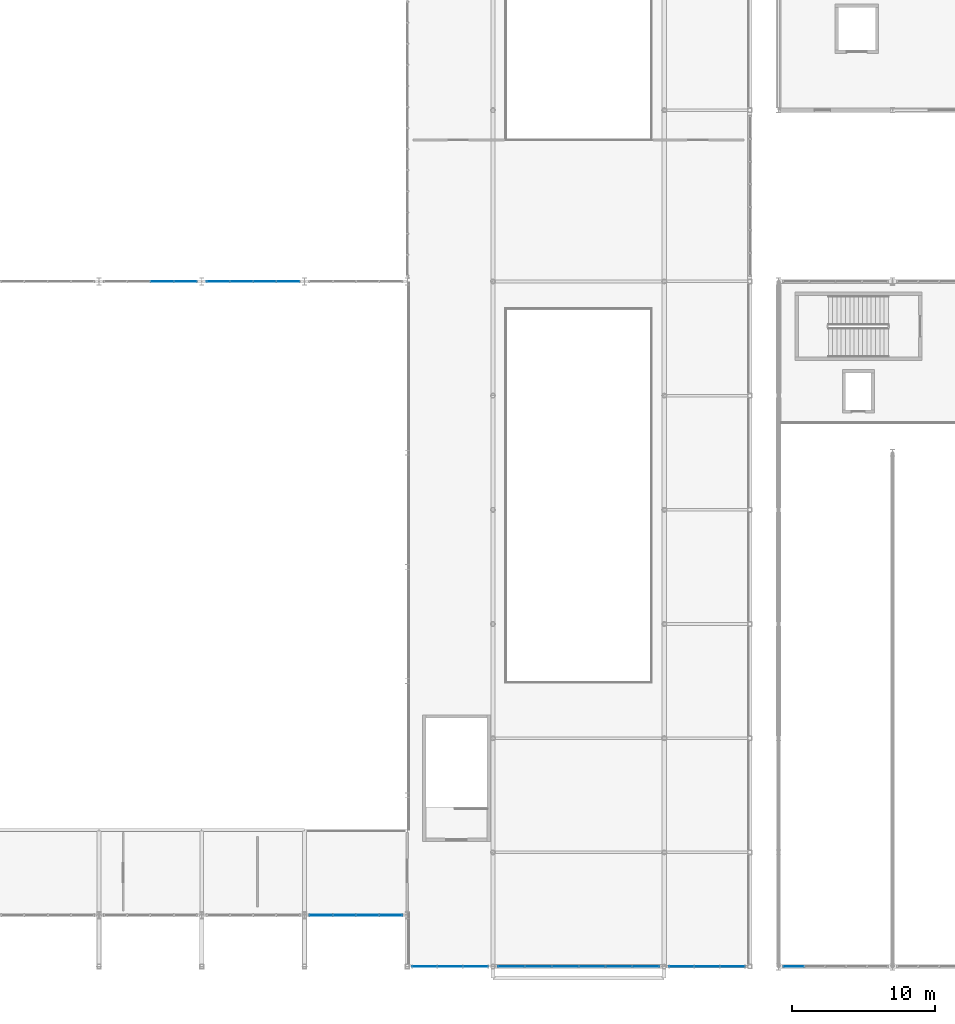
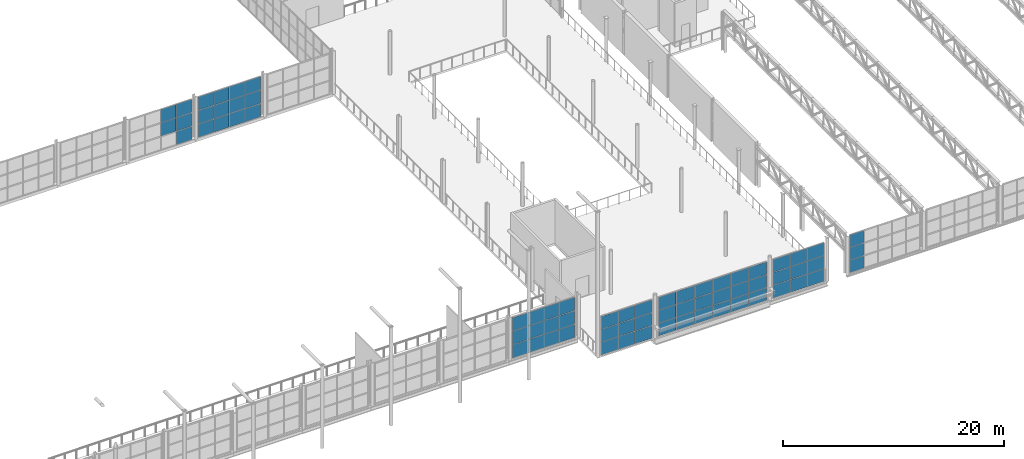
# One storey, part 107 of 143: 68 plates, 7 elements without a shape of their own.
"""IFC4 building model written with IfcOpenShell, lengths in metres."""

from ifc_helpers import new_model, si_unit, derived_unit, direction, frame, origin, origin_2d, place, context, subcontext, project, spatial, rectangle, extrude, material, layer, layer_set, type_object, element, aggregate, save


model = new_model("IFC4")

# Units and contexts
model_context = context("Model", 3, precision=1e-05, world=origin(), true_north=direction((0.0, 1.0)))
body_context = subcontext(model_context, "Body", "Model", "MODEL_VIEW")
ifc_project = project(units=[si_unit("LENGTHUNIT", "METRE"), si_unit("AREAUNIT", "SQUARE_METRE"), si_unit("VOLUMEUNIT", "CUBIC_METRE"), si_unit("PLANEANGLEUNIT", "RADIAN"), si_unit("MASSUNIT", "GRAM", prefix="KILO"), derived_unit("THERMALTRANSMITTANCEUNIT", [(si_unit("POWERUNIT", "WATT"), 1), (si_unit("LENGTHUNIT", "METRE"), -2), (si_unit("THERMODYNAMICTEMPERATUREUNIT", "KELVIN"), -1)])], contexts=[model_context])

# Site, building, storey
site_placement = place(None, origin())
site = spatial("IfcSite", under=ifc_project, at=site_placement, CompositionType="ELEMENT")
building_placement = place(site_placement, origin())
building = spatial("IfcBuilding", under=site, at=building_placement, Name="Keldorne Ridge Multi-Sports Centre", CompositionType="ELEMENT")
storey_placement = place(building_placement, frame((0.0, 0.0, 4.800048828125)))
storey = spatial("IfcBuildingStorey", under=building, at=storey_placement, Name="L01", CompositionType="ELEMENT", Elevation=4.800048828125)

# Curtain wall, plates
ifc_material_1 = material(Name="Anodized aluminium", Category="aluminium")
curtain_wall_type_1 = type_object("IfcCurtainWallType", Name="CW-CW-06", PredefinedType="NOTDEFINED", material=ifc_material_1)
curtain_wall_1_placement = place(storey_placement, origin())
curtain_wall_1 = element("IfcCurtainWall", 1, at=curtain_wall_1_placement, inside=storey, type_object=curtain_wall_type_1, Name="Main Hall north clerestory curtain wall 022", PredefinedType="NOTDEFINED")
ifc_material_2 = material(Name="Double low-e insulated glazing", Category="glass")
ifc_layer_1 = layer(ifc_material_2, 0.035888671875)
ifc_layer_set_1 = layer_set([ifc_layer_1])
plate_type_1 = type_object("IfcPlateType", Name="PLT-GL-01", PredefinedType="CURTAIN_PANEL", material=ifc_layer_set_1)
plate_1_placement = place(storey_placement, frame((62.445068359375, 54.0, 0.02001953125), z_axis=(0.0, 0.0, 1.0), x_axis=(-1.0, 0.0, 0.0)))
plate_1 = element("IfcPlate", 2, at=plate_1_placement, type_object=plate_type_1, Name="CW-022 glazed panel 1.1", PredefinedType="CURTAIN_PANEL", context=body_context, shape_type="SweptSolid", body=[
    extrude(rectangle(XDim=1.590087890625, YDim=0.035888671875, at=origin_2d()), origin(), (0.0, 0.0, 1.0), 1.4599609375),
])
plate_2_placement = place(storey_placement, frame((62.445068359375, 54.0, 1.52001953125), z_axis=(0.0, 0.0, 1.0), x_axis=(-1.0, 0.0, 0.0)))
plate_2 = element("IfcPlate", 3, at=plate_2_placement, type_object=plate_type_1, Name="CW-022 glazed panel 1.2", PredefinedType="CURTAIN_PANEL", context=body_context, shape_type="SweptSolid", body=[
    extrude(rectangle(XDim=1.590087890625, YDim=0.035888671875, at=origin_2d()), origin(), (0.0, 0.0, 1.0), 1.4599609375),
])
plate_3_placement = place(storey_placement, frame((62.445068359375, 54.0, 3.02001953125), z_axis=(0.0, 0.0, 1.0), x_axis=(-1.0, 0.0, 0.0)))
plate_3 = element("IfcPlate", 4, at=plate_3_placement, type_object=plate_type_1, Name="CW-022 glazed panel 1.3", PredefinedType="CURTAIN_PANEL", context=body_context, shape_type="SweptSolid", body=[
    extrude(rectangle(XDim=1.590087890625, YDim=0.035888671875, at=origin_2d()), origin(), (0.0, 0.0, 1.0), 1.4599609375),
])
plate_4_placement = place(storey_placement, frame((60.81494140625, 54.0, 1.52001953125), z_axis=(0.0, 0.0, 1.0), x_axis=(-1.0, 0.0, 0.0)))
plate_4 = element("IfcPlate", 5, at=plate_4_placement, type_object=plate_type_1, Name="CW-022 glazed panel 2.2", PredefinedType="CURTAIN_PANEL", context=body_context, shape_type="SweptSolid", body=[
    extrude(rectangle(XDim=1.590087890625, YDim=0.035888671875, at=origin_2d()), origin(), (0.0, 0.0, 1.0), 1.4599609375),
])
plate_5_placement = place(storey_placement, frame((60.81494140625, 54.0, 3.02001953125), z_axis=(0.0, 0.0, 1.0), x_axis=(-1.0, 0.0, 0.0)))
plate_5 = element("IfcPlate", 6, at=plate_5_placement, type_object=plate_type_1, Name="CW-022 glazed panel 2.3", PredefinedType="CURTAIN_PANEL", context=body_context, shape_type="SweptSolid", body=[
    extrude(rectangle(XDim=1.590087890625, YDim=0.035888671875, at=origin_2d()), origin(), (0.0, 0.0, 1.0), 1.4599609375),
])
aggregate(curtain_wall_1, [plate_1, plate_2, plate_3, plate_4, plate_5])

curtain_wall_type_2 = type_object("IfcCurtainWallType", Name="CW-CW-01", PredefinedType="NOTDEFINED", material=ifc_material_1)
curtain_wall_2_placement = place(storey_placement, origin())
curtain_wall_2 = element("IfcCurtainWall", 7, at=curtain_wall_2_placement, inside=storey, type_object=curtain_wall_type_2, Name="Main Hall north clerestory curtain wall 025", PredefinedType="NOTDEFINED")
plate_6_placement = place(storey_placement, frame((69.64501953125, 54.0, 0.02001953125), z_axis=(0.0, 0.0, 1.0), x_axis=(-1.0, 0.0, 0.0)))
plate_6 = element("IfcPlate", 8, at=plate_6_placement, type_object=plate_type_1, Name="CW-025 glazed panel 1.1", PredefinedType="CURTAIN_PANEL", context=body_context, shape_type="SweptSolid", body=[
    extrude(rectangle(XDim=1.590087890625, YDim=0.035888671875, at=origin_2d()), origin(), (0.0, 0.0, 1.0), 1.4599609375),
])
plate_7_placement = place(storey_placement, frame((69.64501953125, 54.0, 1.52001953125), z_axis=(0.0, 0.0, 1.0), x_axis=(-1.0, 0.0, 0.0)))
plate_7 = element("IfcPlate", 9, at=plate_7_placement, type_object=plate_type_1, Name="CW-025 glazed panel 1.2", PredefinedType="CURTAIN_PANEL", context=body_context, shape_type="SweptSolid", body=[
    extrude(rectangle(XDim=1.590087890625, YDim=0.035888671875, at=origin_2d()), origin(), (0.0, 0.0, 1.0), 1.4599609375),
])
plate_8_placement = place(storey_placement, frame((69.64501953125, 54.0, 3.02001953125), z_axis=(0.0, 0.0, 1.0), x_axis=(-1.0, 0.0, 0.0)))
plate_8 = element("IfcPlate", 10, at=plate_8_placement, type_object=plate_type_1, Name="CW-025 glazed panel 1.3", PredefinedType="CURTAIN_PANEL", context=body_context, shape_type="SweptSolid", body=[
    extrude(rectangle(XDim=1.590087890625, YDim=0.035888671875, at=origin_2d()), origin(), (0.0, 0.0, 1.0), 1.4599609375),
])
plate_9_placement = place(storey_placement, frame((68.014892578125, 54.0, 0.02001953125), z_axis=(0.0, 0.0, 1.0), x_axis=(-1.0, 0.0, 0.0)))
plate_9 = element("IfcPlate", 11, at=plate_9_placement, type_object=plate_type_1, Name="CW-025 glazed panel 2.1", PredefinedType="CURTAIN_PANEL", context=body_context, shape_type="SweptSolid", body=[
    extrude(rectangle(XDim=1.590087890625, YDim=0.035888671875, at=origin_2d()), origin(), (0.0, 0.0, 1.0), 1.4599609375),
])
plate_10_placement = place(storey_placement, frame((68.014892578125, 54.0, 1.52001953125), z_axis=(0.0, 0.0, 1.0), x_axis=(-1.0, 0.0, 0.0)))
plate_10 = element("IfcPlate", 12, at=plate_10_placement, type_object=plate_type_1, Name="CW-025 glazed panel 2.2", PredefinedType="CURTAIN_PANEL", context=body_context, shape_type="SweptSolid", body=[
    extrude(rectangle(XDim=1.590087890625, YDim=0.035888671875, at=origin_2d()), origin(), (0.0, 0.0, 1.0), 1.4599609375),
])
plate_11_placement = place(storey_placement, frame((68.014892578125, 54.0, 3.02001953125), z_axis=(0.0, 0.0, 1.0), x_axis=(-1.0, 0.0, 0.0)))
plate_11 = element("IfcPlate", 13, at=plate_11_placement, type_object=plate_type_1, Name="CW-025 glazed panel 2.3", PredefinedType="CURTAIN_PANEL", context=body_context, shape_type="SweptSolid", body=[
    extrude(rectangle(XDim=1.590087890625, YDim=0.035888671875, at=origin_2d()), origin(), (0.0, 0.0, 1.0), 1.4599609375),
])
plate_12_placement = place(storey_placement, frame((66.385009765625, 54.0, 0.02001953125), z_axis=(0.0, 0.0, 1.0), x_axis=(-1.0, 0.0, 0.0)))
plate_12 = element("IfcPlate", 14, at=plate_12_placement, type_object=plate_type_1, Name="CW-025 glazed panel 3.1", PredefinedType="CURTAIN_PANEL", context=body_context, shape_type="SweptSolid", body=[
    extrude(rectangle(XDim=1.590087890625, YDim=0.035888671875, at=origin_2d()), origin(), (0.0, 0.0, 1.0), 1.4599609375),
])
plate_13_placement = place(storey_placement, frame((66.385009765625, 54.0, 1.52001953125), z_axis=(0.0, 0.0, 1.0), x_axis=(-1.0, 0.0, 0.0)))
plate_13 = element("IfcPlate", 15, at=plate_13_placement, type_object=plate_type_1, Name="CW-025 glazed panel 3.2", PredefinedType="CURTAIN_PANEL", context=body_context, shape_type="SweptSolid", body=[
    extrude(rectangle(XDim=1.590087890625, YDim=0.035888671875, at=origin_2d()), origin(), (0.0, 0.0, 1.0), 1.4599609375),
])
plate_14_placement = place(storey_placement, frame((66.385009765625, 54.0, 3.02001953125), z_axis=(0.0, 0.0, 1.0), x_axis=(-1.0, 0.0, 0.0)))
plate_14 = element("IfcPlate", 16, at=plate_14_placement, type_object=plate_type_1, Name="CW-025 glazed panel 3.3", PredefinedType="CURTAIN_PANEL", context=body_context, shape_type="SweptSolid", body=[
    extrude(rectangle(XDim=1.590087890625, YDim=0.035888671875, at=origin_2d()), origin(), (0.0, 0.0, 1.0), 1.4599609375),
])
plate_15_placement = place(storey_placement, frame((64.7548828125, 54.0, 0.02001953125), z_axis=(0.0, 0.0, 1.0), x_axis=(-1.0, 0.0, 0.0)))
plate_15 = element("IfcPlate", 17, at=plate_15_placement, type_object=plate_type_1, Name="CW-025 glazed panel 4.1", PredefinedType="CURTAIN_PANEL", context=body_context, shape_type="SweptSolid", body=[
    extrude(rectangle(XDim=1.590087890625, YDim=0.035888671875, at=origin_2d()), origin(), (0.0, 0.0, 1.0), 1.4599609375),
])
plate_16_placement = place(storey_placement, frame((64.7548828125, 54.0, 1.52001953125), z_axis=(0.0, 0.0, 1.0), x_axis=(-1.0, 0.0, 0.0)))
plate_16 = element("IfcPlate", 18, at=plate_16_placement, type_object=plate_type_1, Name="CW-025 glazed panel 4.2", PredefinedType="CURTAIN_PANEL", context=body_context, shape_type="SweptSolid", body=[
    extrude(rectangle(XDim=1.590087890625, YDim=0.035888671875, at=origin_2d()), origin(), (0.0, 0.0, 1.0), 1.4599609375),
])
plate_17_placement = place(storey_placement, frame((64.7548828125, 54.0, 3.02001953125), z_axis=(0.0, 0.0, 1.0), x_axis=(-1.0, 0.0, 0.0)))
plate_17 = element("IfcPlate", 19, at=plate_17_placement, type_object=plate_type_1, Name="CW-025 glazed panel 4.3", PredefinedType="CURTAIN_PANEL", context=body_context, shape_type="SweptSolid", body=[
    extrude(rectangle(XDim=1.590087890625, YDim=0.035888671875, at=origin_2d()), origin(), (0.0, 0.0, 1.0), 1.4599609375),
])
aggregate(curtain_wall_2, [plate_6, plate_7, plate_8, plate_9, plate_10, plate_11, plate_12, plate_13, plate_14, plate_15, plate_16, plate_17])

curtain_wall_type_3 = type_object("IfcCurtainWallType", Name="CW-CW-07", PredefinedType="NOTDEFINED", material=ifc_material_1)
curtain_wall_3_placement = place(storey_placement, origin())
curtain_wall_3 = element("IfcCurtainWall", 20, at=curtain_wall_3_placement, inside=storey, type_object=curtain_wall_type_3, Name="Lower Courts high clerestory 087", PredefinedType="NOTDEFINED")
plate_18_placement = place(storey_placement, frame((105.072021484375, 6.0, 0.02001953125), z_axis=(0.0, 0.0, 1.0), x_axis=(1.0, 0.0, 0.0)))
plate_18 = element("IfcPlate", 21, at=plate_18_placement, type_object=plate_type_1, Name="CW-087 glazed panel 1.1", PredefinedType="CURTAIN_PANEL", context=body_context, shape_type="SweptSolid", body=[
    extrude(rectangle(XDim=1.424072265625, YDim=0.035888671875, at=origin_2d()), origin(), (0.0, 0.0, 1.0), 1.360107421875),
])
plate_19_placement = place(storey_placement, frame((105.072021484375, 6.0, 1.419921875), z_axis=(0.0, 0.0, 1.0), x_axis=(1.0, 0.0, 0.0)))
plate_19 = element("IfcPlate", 22, at=plate_19_placement, type_object=plate_type_1, Name="CW-087 glazed panel 1.2", PredefinedType="CURTAIN_PANEL", context=body_context, shape_type="SweptSolid", body=[
    extrude(rectangle(XDim=1.424072265625, YDim=0.035888671875, at=origin_2d()), origin(), (0.0, 0.0, 1.0), 1.360107421875),
])
plate_20_placement = place(storey_placement, frame((105.072021484375, 6.0, 2.81982421875), z_axis=(0.0, 0.0, 1.0), x_axis=(1.0, 0.0, 0.0)))
plate_20 = element("IfcPlate", 23, at=plate_20_placement, type_object=plate_type_1, Name="CW-087 glazed panel 1.3", PredefinedType="CURTAIN_PANEL", context=body_context, shape_type="SweptSolid", body=[
    extrude(rectangle(XDim=1.424072265625, YDim=0.035888671875, at=origin_2d()), origin(), (0.0, 0.0, 1.0), 1.360107421875),
])
aggregate(curtain_wall_3, [plate_18, plate_19, plate_20])

curtain_wall_type_4 = type_object("IfcCurtainWallType", Name="CW-CW-02", PredefinedType="NOTDEFINED", material=ifc_material_1)
curtain_wall_4_placement = place(storey_placement, origin())
curtain_wall_4 = element("IfcCurtainWall", 24, at=curtain_wall_4_placement, inside=storey, type_object=curtain_wall_type_4, Name="Main Hall south mezzanine curtain wall 026", PredefinedType="NOTDEFINED")
ifc_material_3 = material(Name="Triple acoustic low-e glazing", Category="glass")
ifc_layer_2 = layer(ifc_material_3, 0.0439453125)
ifc_layer_set_2 = layer_set([ifc_layer_2])
plate_type_2 = type_object("IfcPlateType", Name="PLT-GL-02", PredefinedType="CURTAIN_PANEL", material=ifc_layer_set_2)
plate_21_placement = place(storey_placement, frame((71.955078125, 9.60009765625, 0.02001953125), z_axis=(0.0, 0.0, 1.0), x_axis=(1.0, 0.0, 0.0)))
plate_21 = element("IfcPlate", 25, at=plate_21_placement, type_object=plate_type_2, Name="CW-026 glazed panel 1.1", PredefinedType="CURTAIN_PANEL", context=body_context, shape_type="SweptSolid", body=[
    extrude(rectangle(XDim=1.590087890625, YDim=0.0439453125, at=origin_2d()), origin(), (0.0, 0.0, 1.0), 1.4599609375),
])
plate_22_placement = place(storey_placement, frame((71.955078125, 9.60009765625, 1.52001953125), z_axis=(0.0, 0.0, 1.0), x_axis=(1.0, 0.0, 0.0)))
plate_22 = element("IfcPlate", 26, at=plate_22_placement, type_object=plate_type_2, Name="CW-026 glazed panel 1.2", PredefinedType="CURTAIN_PANEL", context=body_context, shape_type="SweptSolid", body=[
    extrude(rectangle(XDim=1.590087890625, YDim=0.0439453125, at=origin_2d()), origin(), (0.0, 0.0, 1.0), 1.4599609375),
])
plate_23_placement = place(storey_placement, frame((71.955078125, 9.60009765625, 3.02001953125), z_axis=(0.0, 0.0, 1.0), x_axis=(1.0, 0.0, 0.0)))
plate_23 = element("IfcPlate", 27, at=plate_23_placement, type_object=plate_type_2, Name="CW-026 glazed panel 1.3", PredefinedType="CURTAIN_PANEL", context=body_context, shape_type="SweptSolid", body=[
    extrude(rectangle(XDim=1.590087890625, YDim=0.0439453125, at=origin_2d()), origin(), (0.0, 0.0, 1.0), 1.4599609375),
])
plate_24_placement = place(storey_placement, frame((73.5849609375, 9.60009765625, 0.02001953125), z_axis=(0.0, 0.0, 1.0), x_axis=(1.0, 0.0, 0.0)))
plate_24 = element("IfcPlate", 28, at=plate_24_placement, type_object=plate_type_2, Name="CW-026 glazed panel 2.1", PredefinedType="CURTAIN_PANEL", context=body_context, shape_type="SweptSolid", body=[
    extrude(rectangle(XDim=1.590087890625, YDim=0.0439453125, at=origin_2d()), origin(), (0.0, 0.0, 1.0), 1.4599609375),
])
plate_25_placement = place(storey_placement, frame((73.5849609375, 9.60009765625, 1.52001953125), z_axis=(0.0, 0.0, 1.0), x_axis=(1.0, 0.0, 0.0)))
plate_25 = element("IfcPlate", 29, at=plate_25_placement, type_object=plate_type_2, Name="CW-026 glazed panel 2.2", PredefinedType="CURTAIN_PANEL", context=body_context, shape_type="SweptSolid", body=[
    extrude(rectangle(XDim=1.590087890625, YDim=0.0439453125, at=origin_2d()), origin(), (0.0, 0.0, 1.0), 1.4599609375),
])
plate_26_placement = place(storey_placement, frame((73.5849609375, 9.60009765625, 3.02001953125), z_axis=(0.0, 0.0, 1.0), x_axis=(1.0, 0.0, 0.0)))
plate_26 = element("IfcPlate", 30, at=plate_26_placement, type_object=plate_type_2, Name="CW-026 glazed panel 2.3", PredefinedType="CURTAIN_PANEL", context=body_context, shape_type="SweptSolid", body=[
    extrude(rectangle(XDim=1.590087890625, YDim=0.0439453125, at=origin_2d()), origin(), (0.0, 0.0, 1.0), 1.4599609375),
])
plate_27_placement = place(storey_placement, frame((75.215087890625, 9.60009765625, 0.02001953125), z_axis=(0.0, 0.0, 1.0), x_axis=(1.0, 0.0, 0.0)))
plate_27 = element("IfcPlate", 31, at=plate_27_placement, type_object=plate_type_2, Name="CW-026 glazed panel 3.1", PredefinedType="CURTAIN_PANEL", context=body_context, shape_type="SweptSolid", body=[
    extrude(rectangle(XDim=1.590087890625, YDim=0.0439453125, at=origin_2d()), origin(), (0.0, 0.0, 1.0), 1.4599609375),
])
plate_28_placement = place(storey_placement, frame((75.215087890625, 9.60009765625, 1.52001953125), z_axis=(0.0, 0.0, 1.0), x_axis=(1.0, 0.0, 0.0)))
plate_28 = element("IfcPlate", 32, at=plate_28_placement, type_object=plate_type_2, Name="CW-026 glazed panel 3.2", PredefinedType="CURTAIN_PANEL", context=body_context, shape_type="SweptSolid", body=[
    extrude(rectangle(XDim=1.590087890625, YDim=0.0439453125, at=origin_2d()), origin(), (0.0, 0.0, 1.0), 1.4599609375),
])
plate_29_placement = place(storey_placement, frame((75.215087890625, 9.60009765625, 3.02001953125), z_axis=(0.0, 0.0, 1.0), x_axis=(1.0, 0.0, 0.0)))
plate_29 = element("IfcPlate", 33, at=plate_29_placement, type_object=plate_type_2, Name="CW-026 glazed panel 3.3", PredefinedType="CURTAIN_PANEL", context=body_context, shape_type="SweptSolid", body=[
    extrude(rectangle(XDim=1.590087890625, YDim=0.0439453125, at=origin_2d()), origin(), (0.0, 0.0, 1.0), 1.4599609375),
])
plate_30_placement = place(storey_placement, frame((76.844970703125, 9.60009765625, 0.02001953125), z_axis=(0.0, 0.0, 1.0), x_axis=(1.0, 0.0, 0.0)))
plate_30 = element("IfcPlate", 34, at=plate_30_placement, type_object=plate_type_2, Name="CW-026 glazed panel 4.1", PredefinedType="CURTAIN_PANEL", context=body_context, shape_type="SweptSolid", body=[
    extrude(rectangle(XDim=1.590087890625, YDim=0.0439453125, at=origin_2d()), origin(), (0.0, 0.0, 1.0), 1.4599609375),
])
plate_31_placement = place(storey_placement, frame((76.844970703125, 9.60009765625, 1.52001953125), z_axis=(0.0, 0.0, 1.0), x_axis=(1.0, 0.0, 0.0)))
plate_31 = element("IfcPlate", 35, at=plate_31_placement, type_object=plate_type_2, Name="CW-026 glazed panel 4.2", PredefinedType="CURTAIN_PANEL", context=body_context, shape_type="SweptSolid", body=[
    extrude(rectangle(XDim=1.590087890625, YDim=0.0439453125, at=origin_2d()), origin(), (0.0, 0.0, 1.0), 1.4599609375),
])
plate_32_placement = place(storey_placement, frame((76.844970703125, 9.60009765625, 3.02001953125), z_axis=(0.0, 0.0, 1.0), x_axis=(1.0, 0.0, 0.0)))
plate_32 = element("IfcPlate", 36, at=plate_32_placement, type_object=plate_type_2, Name="CW-026 glazed panel 4.3", PredefinedType="CURTAIN_PANEL", context=body_context, shape_type="SweptSolid", body=[
    extrude(rectangle(XDim=1.590087890625, YDim=0.0439453125, at=origin_2d()), origin(), (0.0, 0.0, 1.0), 1.4599609375),
])
aggregate(curtain_wall_4, [plate_21, plate_22, plate_23, plate_24, plate_25, plate_26, plate_27, plate_28, plate_29, plate_30, plate_31, plate_32])

curtain_wall_5_placement = place(storey_placement, origin())
curtain_wall_5 = element("IfcCurtainWall", 37, at=curtain_wall_5_placement, inside=storey, type_object=curtain_wall_type_4, Name="Public Passage S upper glazing 074", PredefinedType="NOTDEFINED")
plate_33_placement = place(storey_placement, frame((79.226806640625, 6.0, 0.02001953125), z_axis=(0.0, 0.0, 1.0), x_axis=(1.0, 0.0, 0.0)))
plate_33 = element("IfcPlate", 38, at=plate_33_placement, type_object=plate_type_2, Name="CW-074 glazed panel 1.1", PredefinedType="CURTAIN_PANEL", context=body_context, shape_type="SweptSolid", body=[
    extrude(rectangle(XDim=1.7333984375, YDim=0.0439453125, at=origin_2d()), origin(), (0.0, 0.0, 1.0), 1.393310546875),
])
plate_34_placement = place(storey_placement, frame((79.226806640625, 6.0, 1.453125), z_axis=(0.0, 0.0, 1.0), x_axis=(1.0, 0.0, 0.0)))
plate_34 = element("IfcPlate", 39, at=plate_34_placement, type_object=plate_type_2, Name="CW-074 glazed panel 1.2", PredefinedType="CURTAIN_PANEL", context=body_context, shape_type="SweptSolid", body=[
    extrude(rectangle(XDim=1.7333984375, YDim=0.0439453125, at=origin_2d()), origin(), (0.0, 0.0, 1.0), 1.393310546875),
])
plate_35_placement = place(storey_placement, frame((79.226806640625, 6.0, 2.88671875), z_axis=(0.0, 0.0, 1.0), x_axis=(1.0, 0.0, 0.0)))
plate_35 = element("IfcPlate", 40, at=plate_35_placement, type_object=plate_type_2, Name="CW-074 glazed panel 1.3", PredefinedType="CURTAIN_PANEL", context=body_context, shape_type="SweptSolid", body=[
    extrude(rectangle(XDim=1.7333984375, YDim=0.0439453125, at=origin_2d()), origin(), (0.0, 0.0, 1.0), 1.393310546875),
])
plate_36_placement = place(storey_placement, frame((81.0, 6.0, 0.02001953125), z_axis=(0.0, 0.0, 1.0), x_axis=(1.0, 0.0, 0.0)))
plate_36 = element("IfcPlate", 41, at=plate_36_placement, type_object=plate_type_2, Name="CW-074 glazed panel 2.1", PredefinedType="CURTAIN_PANEL", context=body_context, shape_type="SweptSolid", body=[
    extrude(rectangle(XDim=1.7333984375, YDim=0.0439453125, at=origin_2d()), origin(), (0.0, 0.0, 1.0), 1.393310546875),
])
plate_37_placement = place(storey_placement, frame((81.0, 6.0, 1.453125), z_axis=(0.0, 0.0, 1.0), x_axis=(1.0, 0.0, 0.0)))
plate_37 = element("IfcPlate", 42, at=plate_37_placement, type_object=plate_type_2, Name="CW-074 glazed panel 2.2", PredefinedType="CURTAIN_PANEL", context=body_context, shape_type="SweptSolid", body=[
    extrude(rectangle(XDim=1.7333984375, YDim=0.0439453125, at=origin_2d()), origin(), (0.0, 0.0, 1.0), 1.393310546875),
])
plate_38_placement = place(storey_placement, frame((81.0, 6.0, 2.88671875), z_axis=(0.0, 0.0, 1.0), x_axis=(1.0, 0.0, 0.0)))
plate_38 = element("IfcPlate", 43, at=plate_38_placement, type_object=plate_type_2, Name="CW-074 glazed panel 2.3", PredefinedType="CURTAIN_PANEL", context=body_context, shape_type="SweptSolid", body=[
    extrude(rectangle(XDim=1.7333984375, YDim=0.0439453125, at=origin_2d()), origin(), (0.0, 0.0, 1.0), 1.393310546875),
])
plate_39_placement = place(storey_placement, frame((82.773193359375, 6.0, 0.02001953125), z_axis=(0.0, 0.0, 1.0), x_axis=(1.0, 0.0, 0.0)))
plate_39 = element("IfcPlate", 44, at=plate_39_placement, type_object=plate_type_2, Name="CW-074 glazed panel 3.1", PredefinedType="CURTAIN_PANEL", context=body_context, shape_type="SweptSolid", body=[
    extrude(rectangle(XDim=1.7333984375, YDim=0.0439453125, at=origin_2d()), origin(), (0.0, 0.0, 1.0), 1.393310546875),
])
plate_40_placement = place(storey_placement, frame((82.773193359375, 6.0, 1.453125), z_axis=(0.0, 0.0, 1.0), x_axis=(1.0, 0.0, 0.0)))
plate_40 = element("IfcPlate", 45, at=plate_40_placement, type_object=plate_type_2, Name="CW-074 glazed panel 3.2", PredefinedType="CURTAIN_PANEL", context=body_context, shape_type="SweptSolid", body=[
    extrude(rectangle(XDim=1.7333984375, YDim=0.0439453125, at=origin_2d()), origin(), (0.0, 0.0, 1.0), 1.393310546875),
])
plate_41_placement = place(storey_placement, frame((82.773193359375, 6.0, 2.88671875), z_axis=(0.0, 0.0, 1.0), x_axis=(1.0, 0.0, 0.0)))
plate_41 = element("IfcPlate", 46, at=plate_41_placement, type_object=plate_type_2, Name="CW-074 glazed panel 3.3", PredefinedType="CURTAIN_PANEL", context=body_context, shape_type="SweptSolid", body=[
    extrude(rectangle(XDim=1.7333984375, YDim=0.0439453125, at=origin_2d()), origin(), (0.0, 0.0, 1.0), 1.393310546875),
])
aggregate(curtain_wall_5, [plate_33, plate_34, plate_35, plate_36, plate_37, plate_38, plate_39, plate_40, plate_41])

curtain_wall_type_5 = type_object("IfcCurtainWallType", Name="CW-CW-03", PredefinedType="NOTDEFINED", material=ifc_material_1)
curtain_wall_6_placement = place(storey_placement, origin())
curtain_wall_6 = element("IfcCurtainWall", 47, at=curtain_wall_6_placement, inside=storey, type_object=curtain_wall_type_5, Name="Public Passage S upper portal glazing 075", PredefinedType="NOTDEFINED")
plate_42_placement = place(storey_placement, frame((85.283203125, 6.0, 0.02001953125), z_axis=(0.0, 0.0, 1.0), x_axis=(1.0, 0.0, 0.0)))
plate_42 = element("IfcPlate", 48, at=plate_42_placement, type_object=plate_type_2, Name="CW-075 glazed panel 1.1", PredefinedType="CURTAIN_PANEL", context=body_context, shape_type="SweptSolid", body=[
    extrude(rectangle(XDim=1.8466796875, YDim=0.0439453125, at=origin_2d()), origin(), (0.0, 0.0, 1.0), 1.393310546875),
])
plate_43_placement = place(storey_placement, frame((85.283203125, 6.0, 1.453125), z_axis=(0.0, 0.0, 1.0), x_axis=(1.0, 0.0, 0.0)))
plate_43 = element("IfcPlate", 49, at=plate_43_placement, type_object=plate_type_2, Name="CW-075 glazed panel 1.2", PredefinedType="CURTAIN_PANEL", context=body_context, shape_type="SweptSolid", body=[
    extrude(rectangle(XDim=1.8466796875, YDim=0.0439453125, at=origin_2d()), origin(), (0.0, 0.0, 1.0), 1.393310546875),
])
plate_44_placement = place(storey_placement, frame((85.283203125, 6.0, 2.88671875), z_axis=(0.0, 0.0, 1.0), x_axis=(1.0, 0.0, 0.0)))
plate_44 = element("IfcPlate", 50, at=plate_44_placement, type_object=plate_type_2, Name="CW-075 glazed panel 1.3", PredefinedType="CURTAIN_PANEL", context=body_context, shape_type="SweptSolid", body=[
    extrude(rectangle(XDim=1.8466796875, YDim=0.0439453125, at=origin_2d()), origin(), (0.0, 0.0, 1.0), 1.393310546875),
])
plate_45_placement = place(storey_placement, frame((87.169921875, 6.0, 0.02001953125), z_axis=(0.0, 0.0, 1.0), x_axis=(1.0, 0.0, 0.0)))
plate_45 = element("IfcPlate", 51, at=plate_45_placement, type_object=plate_type_2, Name="CW-075 glazed panel 2.1", PredefinedType="CURTAIN_PANEL", context=body_context, shape_type="SweptSolid", body=[
    extrude(rectangle(XDim=1.8466796875, YDim=0.0439453125, at=origin_2d()), origin(), (0.0, 0.0, 1.0), 1.393310546875),
])
plate_46_placement = place(storey_placement, frame((87.169921875, 6.0, 1.453125), z_axis=(0.0, 0.0, 1.0), x_axis=(1.0, 0.0, 0.0)))
plate_46 = element("IfcPlate", 52, at=plate_46_placement, type_object=plate_type_2, Name="CW-075 glazed panel 2.2", PredefinedType="CURTAIN_PANEL", context=body_context, shape_type="SweptSolid", body=[
    extrude(rectangle(XDim=1.8466796875, YDim=0.0439453125, at=origin_2d()), origin(), (0.0, 0.0, 1.0), 1.393310546875),
])
plate_47_placement = place(storey_placement, frame((87.169921875, 6.0, 2.88671875), z_axis=(0.0, 0.0, 1.0), x_axis=(1.0, 0.0, 0.0)))
plate_47 = element("IfcPlate", 53, at=plate_47_placement, type_object=plate_type_2, Name="CW-075 glazed panel 2.3", PredefinedType="CURTAIN_PANEL", context=body_context, shape_type="SweptSolid", body=[
    extrude(rectangle(XDim=1.8466796875, YDim=0.0439453125, at=origin_2d()), origin(), (0.0, 0.0, 1.0), 1.393310546875),
])
plate_48_placement = place(storey_placement, frame((89.056640625, 6.0, 0.02001953125), z_axis=(0.0, 0.0, 1.0), x_axis=(1.0, 0.0, 0.0)))
plate_48 = element("IfcPlate", 54, at=plate_48_placement, type_object=plate_type_2, Name="CW-075 glazed panel 3.1", PredefinedType="CURTAIN_PANEL", context=body_context, shape_type="SweptSolid", body=[
    extrude(rectangle(XDim=1.8466796875, YDim=0.0439453125, at=origin_2d()), origin(), (0.0, 0.0, 1.0), 1.393310546875),
])
plate_49_placement = place(storey_placement, frame((89.056640625, 6.0, 1.453125), z_axis=(0.0, 0.0, 1.0), x_axis=(1.0, 0.0, 0.0)))
plate_49 = element("IfcPlate", 55, at=plate_49_placement, type_object=plate_type_2, Name="CW-075 glazed panel 3.2", PredefinedType="CURTAIN_PANEL", context=body_context, shape_type="SweptSolid", body=[
    extrude(rectangle(XDim=1.8466796875, YDim=0.0439453125, at=origin_2d()), origin(), (0.0, 0.0, 1.0), 1.393310546875),
])
plate_50_placement = place(storey_placement, frame((89.056640625, 6.0, 2.88671875), z_axis=(0.0, 0.0, 1.0), x_axis=(1.0, 0.0, 0.0)))
plate_50 = element("IfcPlate", 56, at=plate_50_placement, type_object=plate_type_2, Name="CW-075 glazed panel 3.3", PredefinedType="CURTAIN_PANEL", context=body_context, shape_type="SweptSolid", body=[
    extrude(rectangle(XDim=1.8466796875, YDim=0.0439453125, at=origin_2d()), origin(), (0.0, 0.0, 1.0), 1.393310546875),
])
plate_51_placement = place(storey_placement, frame((90.943359375, 6.0, 0.02001953125), z_axis=(0.0, 0.0, 1.0), x_axis=(1.0, 0.0, 0.0)))
plate_51 = element("IfcPlate", 57, at=plate_51_placement, type_object=plate_type_2, Name="CW-075 glazed panel 4.1", PredefinedType="CURTAIN_PANEL", context=body_context, shape_type="SweptSolid", body=[
    extrude(rectangle(XDim=1.8466796875, YDim=0.0439453125, at=origin_2d()), origin(), (0.0, 0.0, 1.0), 1.393310546875),
])
plate_52_placement = place(storey_placement, frame((90.943359375, 6.0, 1.453125), z_axis=(0.0, 0.0, 1.0), x_axis=(1.0, 0.0, 0.0)))
plate_52 = element("IfcPlate", 58, at=plate_52_placement, type_object=plate_type_2, Name="CW-075 glazed panel 4.2", PredefinedType="CURTAIN_PANEL", context=body_context, shape_type="SweptSolid", body=[
    extrude(rectangle(XDim=1.8466796875, YDim=0.0439453125, at=origin_2d()), origin(), (0.0, 0.0, 1.0), 1.393310546875),
])
plate_53_placement = place(storey_placement, frame((90.943359375, 6.0, 2.88671875), z_axis=(0.0, 0.0, 1.0), x_axis=(1.0, 0.0, 0.0)))
plate_53 = element("IfcPlate", 59, at=plate_53_placement, type_object=plate_type_2, Name="CW-075 glazed panel 4.3", PredefinedType="CURTAIN_PANEL", context=body_context, shape_type="SweptSolid", body=[
    extrude(rectangle(XDim=1.8466796875, YDim=0.0439453125, at=origin_2d()), origin(), (0.0, 0.0, 1.0), 1.393310546875),
])
plate_54_placement = place(storey_placement, frame((92.830078125, 6.0, 0.02001953125), z_axis=(0.0, 0.0, 1.0), x_axis=(1.0, 0.0, 0.0)))
plate_54 = element("IfcPlate", 60, at=plate_54_placement, type_object=plate_type_2, Name="CW-075 glazed panel 5.1", PredefinedType="CURTAIN_PANEL", context=body_context, shape_type="SweptSolid", body=[
    extrude(rectangle(XDim=1.8466796875, YDim=0.0439453125, at=origin_2d()), origin(), (0.0, 0.0, 1.0), 1.393310546875),
])
plate_55_placement = place(storey_placement, frame((92.830078125, 6.0, 1.453125), z_axis=(0.0, 0.0, 1.0), x_axis=(1.0, 0.0, 0.0)))
plate_55 = element("IfcPlate", 61, at=plate_55_placement, type_object=plate_type_2, Name="CW-075 glazed panel 5.2", PredefinedType="CURTAIN_PANEL", context=body_context, shape_type="SweptSolid", body=[
    extrude(rectangle(XDim=1.8466796875, YDim=0.0439453125, at=origin_2d()), origin(), (0.0, 0.0, 1.0), 1.393310546875),
])
plate_56_placement = place(storey_placement, frame((92.830078125, 6.0, 2.88671875), z_axis=(0.0, 0.0, 1.0), x_axis=(1.0, 0.0, 0.0)))
plate_56 = element("IfcPlate", 62, at=plate_56_placement, type_object=plate_type_2, Name="CW-075 glazed panel 5.3", PredefinedType="CURTAIN_PANEL", context=body_context, shape_type="SweptSolid", body=[
    extrude(rectangle(XDim=1.8466796875, YDim=0.0439453125, at=origin_2d()), origin(), (0.0, 0.0, 1.0), 1.393310546875),
])
plate_57_placement = place(storey_placement, frame((94.716796875, 6.0, 0.02001953125), z_axis=(0.0, 0.0, 1.0), x_axis=(1.0, 0.0, 0.0)))
plate_57 = element("IfcPlate", 63, at=plate_57_placement, type_object=plate_type_2, Name="CW-075 glazed panel 6.1", PredefinedType="CURTAIN_PANEL", context=body_context, shape_type="SweptSolid", body=[
    extrude(rectangle(XDim=1.8466796875, YDim=0.0439453125, at=origin_2d()), origin(), (0.0, 0.0, 1.0), 1.393310546875),
])
plate_58_placement = place(storey_placement, frame((94.716796875, 6.0, 1.453125), z_axis=(0.0, 0.0, 1.0), x_axis=(1.0, 0.0, 0.0)))
plate_58 = element("IfcPlate", 64, at=plate_58_placement, type_object=plate_type_2, Name="CW-075 glazed panel 6.2", PredefinedType="CURTAIN_PANEL", context=body_context, shape_type="SweptSolid", body=[
    extrude(rectangle(XDim=1.8466796875, YDim=0.0439453125, at=origin_2d()), origin(), (0.0, 0.0, 1.0), 1.393310546875),
])
plate_59_placement = place(storey_placement, frame((94.716796875, 6.0, 2.88671875), z_axis=(0.0, 0.0, 1.0), x_axis=(1.0, 0.0, 0.0)))
plate_59 = element("IfcPlate", 65, at=plate_59_placement, type_object=plate_type_2, Name="CW-075 glazed panel 6.3", PredefinedType="CURTAIN_PANEL", context=body_context, shape_type="SweptSolid", body=[
    extrude(rectangle(XDim=1.8466796875, YDim=0.0439453125, at=origin_2d()), origin(), (0.0, 0.0, 1.0), 1.393310546875),
])
aggregate(curtain_wall_6, [plate_42, plate_43, plate_44, plate_45, plate_46, plate_47, plate_48, plate_49, plate_50, plate_51, plate_52, plate_53, plate_54, plate_55, plate_56, plate_57, plate_58, plate_59])

curtain_wall_type_6 = type_object("IfcCurtainWallType", Name="CW-CW-05", PredefinedType="NOTDEFINED", material=ifc_material_1)
curtain_wall_7_placement = place(storey_placement, origin())
curtain_wall_7 = element("IfcCurtainWall", 66, at=curtain_wall_7_placement, inside=storey, type_object=curtain_wall_type_6, Name="Public Passage S upper glazing 077", PredefinedType="NOTDEFINED")
plate_60_placement = place(storey_placement, frame((97.226806640625, 6.0, 0.02001953125), z_axis=(0.0, 0.0, 1.0), x_axis=(1.0, 0.0, 0.0)))
plate_60 = element("IfcPlate", 67, at=plate_60_placement, type_object=plate_type_2, Name="CW-077 glazed panel 1.1", PredefinedType="CURTAIN_PANEL", context=body_context, shape_type="SweptSolid", body=[
    extrude(rectangle(XDim=1.7333984375, YDim=0.0439453125, at=origin_2d()), origin(), (0.0, 0.0, 1.0), 1.393310546875),
])
plate_61_placement = place(storey_placement, frame((97.226806640625, 6.0, 1.453125), z_axis=(0.0, 0.0, 1.0), x_axis=(1.0, 0.0, 0.0)))
plate_61 = element("IfcPlate", 68, at=plate_61_placement, type_object=plate_type_2, Name="CW-077 glazed panel 1.2", PredefinedType="CURTAIN_PANEL", context=body_context, shape_type="SweptSolid", body=[
    extrude(rectangle(XDim=1.7333984375, YDim=0.0439453125, at=origin_2d()), origin(), (0.0, 0.0, 1.0), 1.393310546875),
])
plate_62_placement = place(storey_placement, frame((97.226806640625, 6.0, 2.88671875), z_axis=(0.0, 0.0, 1.0), x_axis=(1.0, 0.0, 0.0)))
plate_62 = element("IfcPlate", 69, at=plate_62_placement, type_object=plate_type_2, Name="CW-077 glazed panel 1.3", PredefinedType="CURTAIN_PANEL", context=body_context, shape_type="SweptSolid", body=[
    extrude(rectangle(XDim=1.7333984375, YDim=0.0439453125, at=origin_2d()), origin(), (0.0, 0.0, 1.0), 1.393310546875),
])
plate_63_placement = place(storey_placement, frame((99.0, 6.0, 0.02001953125), z_axis=(0.0, 0.0, 1.0), x_axis=(1.0, 0.0, 0.0)))
plate_63 = element("IfcPlate", 70, at=plate_63_placement, type_object=plate_type_2, Name="CW-077 glazed panel 2.1", PredefinedType="CURTAIN_PANEL", context=body_context, shape_type="SweptSolid", body=[
    extrude(rectangle(XDim=1.7333984375, YDim=0.0439453125, at=origin_2d()), origin(), (0.0, 0.0, 1.0), 1.393310546875),
])
plate_64_placement = place(storey_placement, frame((99.0, 6.0, 1.453125), z_axis=(0.0, 0.0, 1.0), x_axis=(1.0, 0.0, 0.0)))
plate_64 = element("IfcPlate", 71, at=plate_64_placement, type_object=plate_type_2, Name="CW-077 glazed panel 2.2", PredefinedType="CURTAIN_PANEL", context=body_context, shape_type="SweptSolid", body=[
    extrude(rectangle(XDim=1.7333984375, YDim=0.0439453125, at=origin_2d()), origin(), (0.0, 0.0, 1.0), 1.393310546875),
])
plate_65_placement = place(storey_placement, frame((99.0, 6.0, 2.88671875), z_axis=(0.0, 0.0, 1.0), x_axis=(1.0, 0.0, 0.0)))
plate_65 = element("IfcPlate", 72, at=plate_65_placement, type_object=plate_type_2, Name="CW-077 glazed panel 2.3", PredefinedType="CURTAIN_PANEL", context=body_context, shape_type="SweptSolid", body=[
    extrude(rectangle(XDim=1.7333984375, YDim=0.0439453125, at=origin_2d()), origin(), (0.0, 0.0, 1.0), 1.393310546875),
])
plate_66_placement = place(storey_placement, frame((100.773193359375, 6.0, 0.02001953125), z_axis=(0.0, 0.0, 1.0), x_axis=(1.0, 0.0, 0.0)))
plate_66 = element("IfcPlate", 73, at=plate_66_placement, type_object=plate_type_2, Name="CW-077 glazed panel 3.1", PredefinedType="CURTAIN_PANEL", context=body_context, shape_type="SweptSolid", body=[
    extrude(rectangle(XDim=1.7333984375, YDim=0.0439453125, at=origin_2d()), origin(), (0.0, 0.0, 1.0), 1.393310546875),
])
plate_67_placement = place(storey_placement, frame((100.773193359375, 6.0, 1.453125), z_axis=(0.0, 0.0, 1.0), x_axis=(1.0, 0.0, 0.0)))
plate_67 = element("IfcPlate", 74, at=plate_67_placement, type_object=plate_type_2, Name="CW-077 glazed panel 3.2", PredefinedType="CURTAIN_PANEL", context=body_context, shape_type="SweptSolid", body=[
    extrude(rectangle(XDim=1.7333984375, YDim=0.0439453125, at=origin_2d()), origin(), (0.0, 0.0, 1.0), 1.393310546875),
])
plate_68_placement = place(storey_placement, frame((100.773193359375, 6.0, 2.88671875), z_axis=(0.0, 0.0, 1.0), x_axis=(1.0, 0.0, 0.0)))
plate_68 = element("IfcPlate", 75, at=plate_68_placement, type_object=plate_type_2, Name="CW-077 glazed panel 3.3", PredefinedType="CURTAIN_PANEL", context=body_context, shape_type="SweptSolid", body=[
    extrude(rectangle(XDim=1.7333984375, YDim=0.0439453125, at=origin_2d()), origin(), (0.0, 0.0, 1.0), 1.393310546875),
])
aggregate(curtain_wall_7, [plate_60, plate_61, plate_62, plate_63, plate_64, plate_65, plate_66, plate_67, plate_68])

save(model, "model.ifc")
